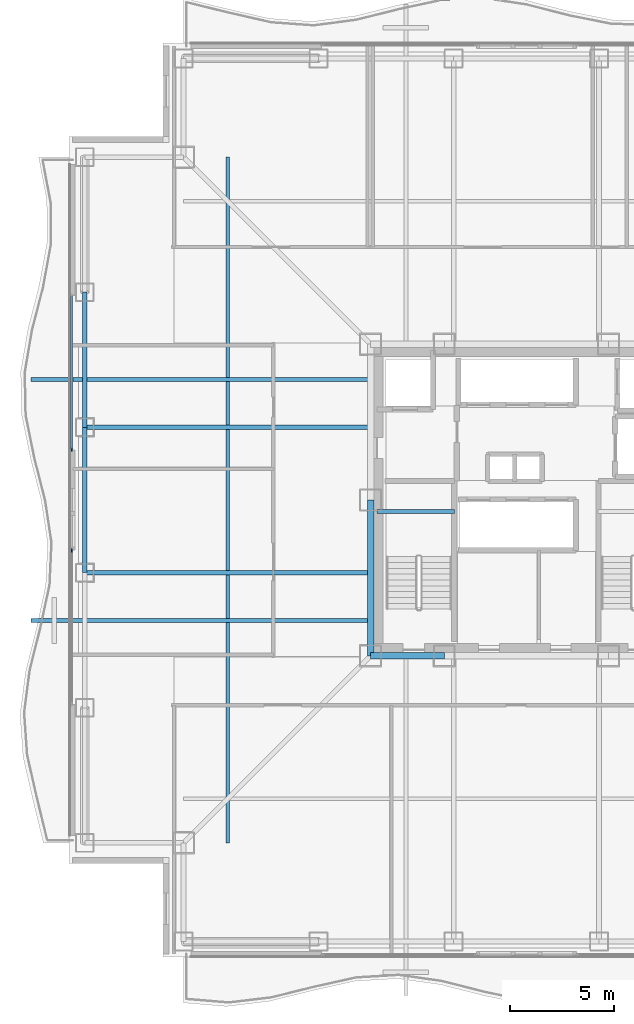
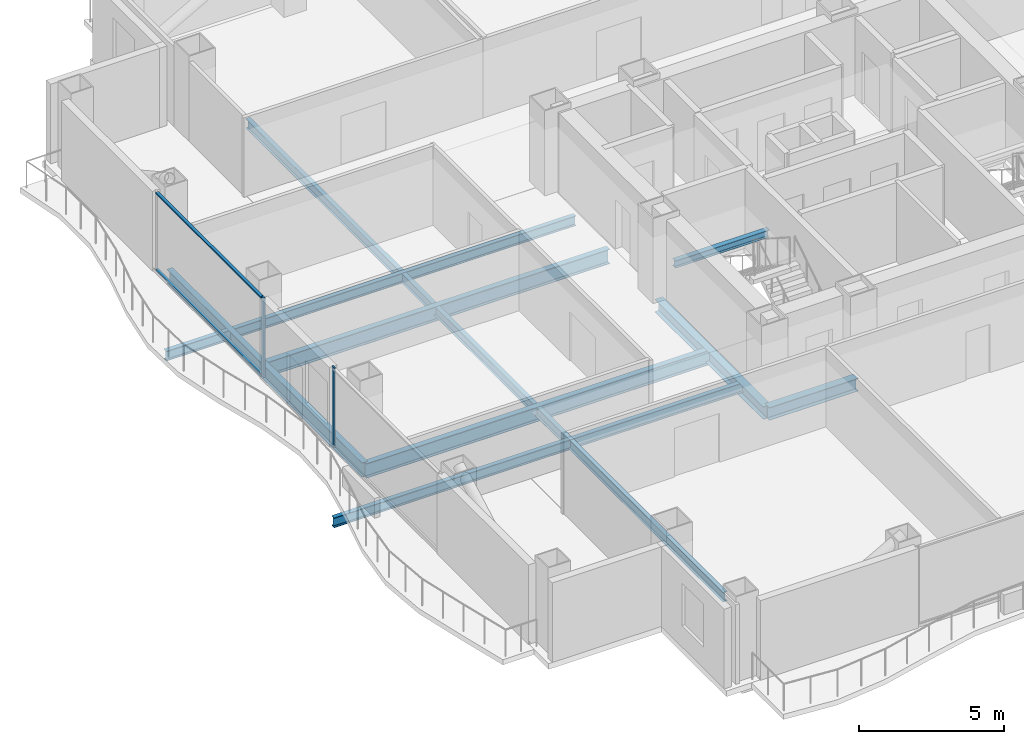
# One storey, part 4 of 18: 10 beams, 4 members, 2 elements without a shape of their own.
"""IFC4 building model written with IfcOpenShell, lengths in metres."""

from ifc_helpers import new_model, si_unit, direction, frame, origin, origin_2d, place, context, subcontext, project, spatial, rectangle, i_section, extrude, material, layer, layer_set, material_profile, profile_set, type_object, element, aggregate, save


model = new_model("IFC4")

# Units and contexts
model_context = context("Model", 3, precision=1e-05, world=origin(), true_north=direction((0.0, 1.0)))
body_context = subcontext(model_context, "Body", "Model", "MODEL_VIEW")
ifc_project = project(units=[si_unit("LENGTHUNIT", "METRE"), si_unit("AREAUNIT", "SQUARE_METRE"), si_unit("VOLUMEUNIT", "CUBIC_METRE"), si_unit("PLANEANGLEUNIT", "RADIAN"), si_unit("MASSUNIT", "GRAM", prefix="KILO")], contexts=[model_context])

# Site, building, storey
site_placement = place(None, origin())
site = spatial("IfcSite", under=ifc_project, at=site_placement, CompositionType="ELEMENT")
building_placement = place(site_placement, origin())
building = spatial("IfcBuilding", under=site, at=building_placement, Name="Trevonay Congress Spire", CompositionType="ELEMENT")
storey_placement = place(building_placement, frame((0.0, 0.0, 122.800048828125)))
storey = spatial("IfcBuildingStorey", under=building, at=storey_placement, Name="L31", CompositionType="ELEMENT", Elevation=122.800048828125)

# Beams
ifc_material_1 = material(Name="Steel ASTM A572 Grade 50", Category="steel")
ifc_material_profile_1 = material_profile(ifc_material_1, i_section(OverallWidth=0.31201171875, OverallDepth=0.54296875, WebThickness=0.0126953125, FlangeThickness=0.020263671875, FilletRadius=0.014892578125, at=origin_2d()), Name="W530x150")
ifc_profile_set_1 = profile_set([ifc_material_profile_1], Name="Steel ASTM A572 Grade 50")
beam_type_1 = type_object("IfcBeamType", Name="BM-GIRD-W530X150", PredefinedType="BEAM", material=ifc_profile_set_1)
beam_1_placement = place(storey_placement, frame((-7.5, -7.5, -0.511474609375), z_axis=(1.0, 0.0, 0.0), x_axis=(0.0, 1.0, 0.0)))
element("IfcBeam", 1, at=beam_1_placement, inside=storey, type_object=beam_type_1, Name="L31 structural beam BM-L31-CR-S1", PredefinedType="BEAM", context=body_context, shape_type="SweptSolid", body=[
    extrude(i_section(OverallWidth=0.31201171875, OverallDepth=0.54296875, WebThickness=0.0126953125, FlangeThickness=0.020263671875, FilletRadius=0.014892578125, at=origin_2d()), origin(), (0.0, 0.0, 1.0), 3.550048828125),
])
beam_2_placement = place(storey_placement, frame((-7.5, -7.5, -0.511474609375), z_axis=(0.0, 1.0, 0.0), x_axis=(-1.0, 0.0, 0.0)))
element("IfcBeam", 2, at=beam_2_placement, inside=storey, type_object=beam_type_1, Name="L31 structural beam BM-L31-CR-W1", PredefinedType="BEAM", context=body_context, shape_type="SweptSolid", body=[
    extrude(i_section(OverallWidth=0.31201171875, OverallDepth=0.54296875, WebThickness=0.0126953125, FlangeThickness=0.020263671875, FilletRadius=0.014892578125, at=origin_2d()), origin(), (0.0, 0.0, 1.0), 7.5),
])
ifc_material_profile_2 = material_profile(ifc_material_1, i_section(OverallWidth=0.22998046875, OverallDepth=0.616943359375, WebThickness=0.01318359375, FlangeThickness=0.022216796875, FilletRadius=0.01611328125, at=origin_2d()), Name="W610x140")
ifc_profile_set_2 = profile_set([ifc_material_profile_2], Name="Steel ASTM A572 Grade 50")
beam_type_2 = type_object("IfcBeamType", Name="BM-GIRD-W610X140", PredefinedType="BEAM", material=ifc_profile_set_2)
for number, where, z_axis, x_axis, name in (
    (3, (-7.5, -3.5, -0.548583984375), (-1.0, 0.0, 0.0), (0.0, -1.0, 0.0), "L31 structural beam BM-L31-GW-M"),
    (4, (-7.5, 3.5, -0.548583984375), (-1.0, 0.0, 0.0), (0.0, -1.0, 0.0), "L31 structural beam BM-L31-GW-P"),
):
    element("IfcBeam", number, at=place(storey_placement, frame(where, z_axis=z_axis, x_axis=x_axis)), inside=storey, type_object=beam_type_2, Name=name, PredefinedType="BEAM", context=body_context, shape_type="SweptSolid", body=[
        extrude(i_section(OverallWidth=0.22998046875, OverallDepth=0.616943359375, WebThickness=0.01318359375, FlangeThickness=0.022216796875, FilletRadius=0.01611328125, at=origin_2d()), origin(), (0.0, 0.0, 1.0), 13.75),
    ])
ifc_material_profile_3 = material_profile(ifc_material_1, i_section(OverallWidth=0.22802734375, OverallDepth=0.60791015625, WebThickness=0.01123046875, FlangeThickness=0.017333984375, FilletRadius=0.01611328125, at=origin_2d()), Name="W610x113")
ifc_profile_set_3 = profile_set([ifc_material_profile_3], Name="Steel ASTM A572 Grade 50")
beam_type_3 = type_object("IfcBeamType", Name="BM-RING-W610X113", PredefinedType="BEAM", material=ifc_profile_set_3)
beam_3_placement = place(storey_placement, frame((-21.25, -3.5, -0.5439453125), z_axis=(0.0, 1.0, 0.0), x_axis=(-1.0, 0.0, 0.0)))
element("IfcBeam", 5, at=beam_3_placement, inside=storey, type_object=beam_type_3, Name="L31 structural beam BM-L31-PW3", PredefinedType="BEAM", context=body_context, shape_type="SweptSolid", body=[
    extrude(i_section(OverallWidth=0.22802734375, OverallDepth=0.60791015625, WebThickness=0.01123046875, FlangeThickness=0.017333984375, FilletRadius=0.01611328125, at=origin_2d()), origin(), (0.0, 0.0, 1.0), 7.0),
])
beam_4_placement = place(storey_placement, frame((-21.25, 3.5, -0.5439453125), z_axis=(0.0, 1.0, 0.0), x_axis=(-1.0, 0.0, 0.0)))
element("IfcBeam", 6, at=beam_4_placement, inside=storey, type_object=beam_type_3, Name="L31 structural beam BM-L31-PW4", PredefinedType="BEAM", context=body_context, shape_type="SweptSolid", body=[
    extrude(i_section(OverallWidth=0.22802734375, OverallDepth=0.60791015625, WebThickness=0.01123046875, FlangeThickness=0.017333984375, FilletRadius=0.01611328125, at=origin_2d()), origin(), (0.0, 0.0, 1.0), 6.5),
])
ifc_material_profile_4 = material_profile(ifc_material_1, i_section(OverallWidth=0.180908203125, OverallDepth=0.4169921875, WebThickness=0.010986328125, FlangeThickness=0.018310546875, FilletRadius=0.012939453125, at=origin_2d()), Name="W410x85")
ifc_profile_set_4 = profile_set([ifc_material_profile_4], Name="Steel ASTM A572 Grade 50")
beam_type_4 = type_object("IfcBeamType", Name="BM-WAV-LOOKOUT", PredefinedType="BEAM", material=ifc_profile_set_4)
for number, where, z_axis, x_axis, name in (
    (7, (-7.5, -5.800048828125, -0.448486328125), (-1.0, 0.0, 0.0), (0.0, -1.0, 0.0), "L31 structural beam WLK-L31-W1"),
    (8, (-7.5, 5.800048828125, -0.448486328125), (-1.0, 0.0, 0.0), (0.0, -1.0, 0.0), "L31 structural beam WLK-L31-W2"),
):
    element("IfcBeam", number, at=place(storey_placement, frame(where, z_axis=z_axis, x_axis=x_axis)), inside=storey, type_object=beam_type_4, Name=name, PredefinedType="BEAM", context=body_context, shape_type="SweptSolid", body=[
        extrude(i_section(OverallWidth=0.180908203125, OverallDepth=0.4169921875, WebThickness=0.010986328125, FlangeThickness=0.018310546875, FilletRadius=0.012939453125, at=origin_2d()), origin(), (0.0, 0.0, 1.0), 16.35009765625),
    ])

# Curtain wall, member
ifc_material_2 = material(Name="Pale Anodised Aluminium EN AW-6063-T6", Category="aluminium")
ifc_layer = layer(ifc_material_2, 0.175048828125, Name="Pale Anodised Aluminium EN AW-6063-T6")
ifc_layer_set = layer_set([ifc_layer], Name="Pale Anodised Aluminium EN AW-6063-T6")
curtain_wall_type = type_object("IfcCurtainWallType", Name="CW-SYS03-CONGRESS-PALE-METAL", PredefinedType="NOTDEFINED", material=ifc_layer_set)
curtain_wall_1_placement = place(storey_placement, origin())
curtain_wall_1 = element("IfcCurtainWall", 9, at=curtain_wall_1_placement, inside=storey, type_object=curtain_wall_type, Name="L31 WA unitised curtain wall", PredefinedType="NOTDEFINED")
ifc_material_profile_5 = material_profile(ifc_material_2, rectangle(XDim=0.06005859375, YDim=0.159912109375, at=origin_2d()), Name="CW-MULLION-160-ALUMINIUM")
ifc_profile_set_5 = profile_set([ifc_material_profile_5], Name="Pale Anodised Aluminium EN AW-6063-T6")
member_type_1 = type_object("IfcMemberType", Name="CW-MULLION-160-ALUMINIUM", PredefinedType="MULLION", material=ifc_profile_set_5)
member_1_placement = place(storey_placement, frame((-21.8798828125, -2.429931640625, 0.0), z_axis=(0.0, 0.0, 1.0), x_axis=(-1.0, 0.0, 0.0)))
member_1 = element("IfcMember", 10, at=member_1_placement, type_object=member_type_1, Name="CW03 mullion 2", PredefinedType="MULLION", context=body_context, shape_type="SweptSolid", body=[
    extrude(rectangle(XDim=0.06005859375, YDim=0.159912109375, at=origin_2d()), origin(), (0.0, 0.0, 1.0), 3.35986328125),
])
aggregate(curtain_wall_1, [member_1])

# Curtain wall, members
curtain_wall_2_placement = place(storey_placement, origin())
curtain_wall_2 = element("IfcCurtainWall", 11, at=curtain_wall_2_placement, inside=storey, type_object=curtain_wall_type, Name="L31 WB unitised curtain wall", PredefinedType="NOTDEFINED")
member_2_placement = place(storey_placement, frame((-21.8798828125, 2.429931640625, 0.0), z_axis=(0.0, 0.0, 1.0), x_axis=(-1.0, 0.0, 0.0)))
member_2 = element("IfcMember", 12, at=member_2_placement, type_object=member_type_1, Name="CW03 mullion 1", PredefinedType="MULLION", context=body_context, shape_type="SweptSolid", body=[
    extrude(rectangle(XDim=0.06005859375, YDim=0.159912109375, at=origin_2d()), origin(), (0.0, 0.0, 1.0), 3.35986328125),
])
ifc_material_profile_6 = material_profile(ifc_material_2, rectangle(XDim=0.1201171875, YDim=0.06005859375, at=origin_2d()), Name="CW-TRANSOM-120-ALUMINIUM")
ifc_profile_set_6 = profile_set([ifc_material_profile_6], Name="Pale Anodised Aluminium EN AW-6063-T6")
member_type_2 = type_object("IfcMemberType", Name="CW-TRANSOM-120-ALUMINIUM", PredefinedType="USERDEFINED", material=ifc_profile_set_6)
member_3_placement = place(storey_placement, frame((-21.8798828125, 2.4599609375, 0.06005859375), z_axis=(0.0, 1.0, 0.0), x_axis=(-1.0, 0.0, 0.0)))
member_3 = element("IfcMember", 13, at=member_3_placement, type_object=member_type_2, Name="CW03 transom 1.1", ObjectType="TRANSOM", PredefinedType="USERDEFINED", context=body_context, shape_type="SweptSolid", body=[
    extrude(rectangle(XDim=0.1201171875, YDim=0.06005859375, at=origin_2d()), origin(), (0.0, 0.0, 1.0), 7.330078125),
])
member_4_placement = place(storey_placement, frame((-21.8798828125, 2.4599609375, 3.300048828125), z_axis=(0.0, 1.0, 0.0), x_axis=(-1.0, 0.0, 0.0)))
member_4 = element("IfcMember", 14, at=member_4_placement, type_object=member_type_2, Name="CW03 transom 1.2", ObjectType="TRANSOM", PredefinedType="USERDEFINED", context=body_context, shape_type="SweptSolid", body=[
    extrude(rectangle(XDim=0.1201171875, YDim=0.06005859375, at=origin_2d()), origin(), (0.0, 0.0, 1.0), 7.330078125),
])
aggregate(curtain_wall_2, [member_2, member_3, member_4])

# Beams
ifc_material_profile_7 = material_profile(ifc_material_1, i_section(OverallWidth=0.177978515625, OverallDepth=0.406982421875, WebThickness=0.0078125, FlangeThickness=0.0126953125, FilletRadius=0.012939453125, at=origin_2d()), Name="W410x60")
ifc_profile_set_7 = profile_set([ifc_material_profile_7], Name="Steel ASTM A572 Grade 50")
beam_type_5 = type_object("IfcBeamType", Name="JS-COMP-W410X60", PredefinedType="JOIST", material=ifc_profile_set_7)
beam_5_placement = place(storey_placement, frame((-14.375, -16.5, -0.443603515625), z_axis=(0.0, 1.0, 0.0), x_axis=(-1.0, 0.0, 0.0)))
element("IfcBeam", 15, at=beam_5_placement, inside=storey, type_object=beam_type_5, Name="L31 structural beam JS-L31-RING-W", PredefinedType="JOIST", context=body_context, shape_type="SweptSolid", body=[
    extrude(i_section(OverallWidth=0.177978515625, OverallDepth=0.406982421875, WebThickness=0.0078125, FlangeThickness=0.0126953125, FilletRadius=0.012939453125, at=origin_2d()), origin(), (0.0, 0.0, 1.0), 33.0),
])
ifc_material_profile_8 = material_profile(ifc_material_1, i_section(OverallWidth=0.2041015625, OverallDepth=0.305908203125, WebThickness=0.008544921875, FlangeThickness=0.0146484375, FilletRadius=0.010986328125, at=origin_2d()), Name="W310x67")
ifc_profile_set_8 = profile_set([ifc_material_profile_8], Name="Steel ASTM A572 Grade 50")
beam_type_6 = type_object("IfcBeamType", Name="LN-CORE-W310X67", PredefinedType="LINTEL", material=ifc_profile_set_8)
beam_6_placement = place(storey_placement, frame((-7.199951171875, -0.550048828125, 1.447021484375), z_axis=(1.0, 0.0, 0.0), x_axis=(0.0, 1.0, 0.0)))
element("IfcBeam", 16, at=beam_6_placement, inside=storey, type_object=beam_type_6, Name="L31 structural beam BM-L31-HL-ST1", PredefinedType="LINTEL", context=body_context, shape_type="SweptSolid", body=[
    extrude(i_section(OverallWidth=0.2041015625, OverallDepth=0.305908203125, WebThickness=0.008544921875, FlangeThickness=0.0146484375, FilletRadius=0.010986328125, at=origin_2d()), origin(), (0.0, 0.0, 1.0), 3.75),
])

save(model, "model.ifc")
